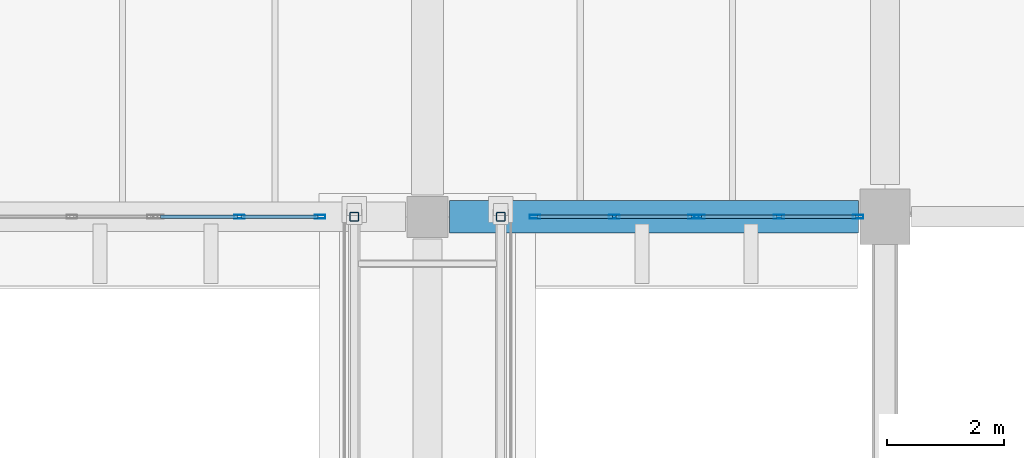
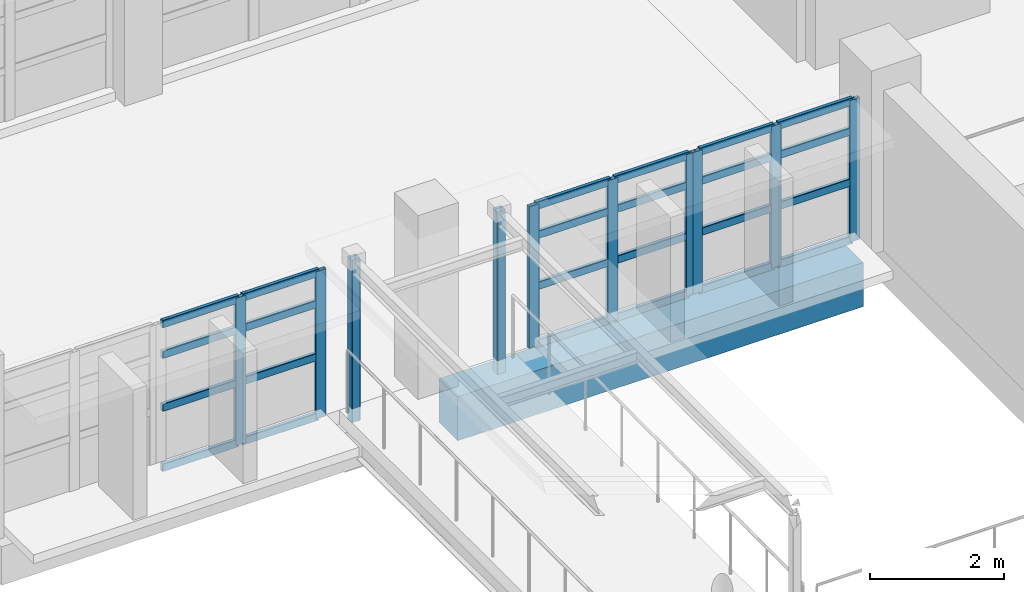
# One storey, part 27 of 75: 34 members, 1 beam, 3 elements without a shape of their own.
"""IFC4 building model written with IfcOpenShell, lengths in metres."""

from ifc_helpers import new_model, si_unit, direction, frame, origin, origin_2d, place, context, subcontext, project, spatial, rectangle, hollow_rectangle, extrude, material, material_profile, profile_set, type_object, element, aggregate, save


model = new_model("IFC4")

# Units and contexts
model_context = context("Model", 3, precision=1e-05, world=origin(), true_north=direction((0.0, 1.0)))
body_context = subcontext(model_context, "Body", "Model", "MODEL_VIEW")
ifc_project = project(units=[si_unit("LENGTHUNIT", "METRE"), si_unit("AREAUNIT", "SQUARE_METRE"), si_unit("VOLUMEUNIT", "CUBIC_METRE"), si_unit("PLANEANGLEUNIT", "RADIAN"), si_unit("MASSUNIT", "GRAM", prefix="KILO")], contexts=[model_context])

# Site, building, storey
site_placement = place(None, origin())
site = spatial("IfcSite", under=ifc_project, at=site_placement, CompositionType="ELEMENT")
building_placement = place(site_placement, origin())
building = spatial("IfcBuilding", under=site, at=building_placement, Name="Varnakota Cinema and Media Centre", CompositionType="ELEMENT")
storey_placement = place(building_placement, frame((0.0, 0.0, 8.39990234375)))
storey = spatial("IfcBuildingStorey", under=building, at=storey_placement, Name="L02", CompositionType="ELEMENT", Elevation=8.39990234375)

# Beam
ifc_material_1 = material(Name="Concrete M35", Category="concrete")
ifc_material_profile_1 = material_profile(ifc_material_1, rectangle(XDim=0.550048828125, YDim=0.800048828125, at=origin_2d()), Name="RCB 550x800")
ifc_profile_set_1 = profile_set([ifc_material_profile_1], Name="Concrete M35")
beam_type = type_object("IfcBeamType", Name="BM-RC-550x800", PredefinedType="BEAM", material=ifc_profile_set_1)
beam_placement = place(storey_placement, frame((67.574951171875, 35.199951171875, -0.64990234375), z_axis=(1.0, 0.0, 0.0), x_axis=(0.0, 1.0, 0.0)))
element("IfcBeam", 1, at=beam_placement, inside=storey, type_object=beam_type, Name="L02 girder J-K/5", PredefinedType="BEAM", context=body_context, shape_type="SweptSolid", body=[
    extrude(rectangle(XDim=0.550048828125, YDim=0.800048828125, at=origin_2d()), origin(), (0.0, 0.0, 1.0), 6.97509765625),
])

# Curtain wall, members
ifc_material_2 = material(Name="Thermally broken anodised aluminium AW-6063", Category="aluminium")
curtain_wall_type_1 = type_object("IfcCurtainWallType", Name="CW-STD-282x268", PredefinedType="USERDEFINED", material=ifc_material_2)
curtain_wall_1_placement = place(storey_placement, origin())
curtain_wall_1 = element("IfcCurtainWall", 2, at=curtain_wall_1_placement, inside=storey, type_object=curtain_wall_type_1, Name="L02 curtain wall CW-L02-LINK-S-W-01-1", ObjectType="UNITISED CURTAIN WALL", PredefinedType="USERDEFINED")
ifc_material_3 = material(Name="Thermally broken anodised aluminium AW-6063", Category="aluminium")
ifc_material_profile_2 = material_profile(ifc_material_3, hollow_rectangle(XDim=0.06494140625, YDim=0.179931640625, WallThickness=0.00390625, InnerFilletRadius=0.00390625, OuterFilletRadius=0.008056640625, at=origin_2d()), Name="AL-MULLION 180x65x4")
ifc_profile_set_2 = profile_set([ifc_material_profile_2], Name="Thermally broken anodised aluminium AW-6063")
member_type_1 = type_object("IfcMemberType", Name="CWM-AL-180", PredefinedType="MULLION", material=ifc_profile_set_2)
member_1_placement = place(storey_placement, frame((65.367431640625, 35.199951171875, 0.0), z_axis=(0.0, 0.0, 1.0), x_axis=(0.0, -1.0, 0.0)))
member_1 = element("IfcMember", 3, at=member_1_placement, type_object=member_type_1, Name="CW32 mullion 1", PredefinedType="MULLION", context=body_context, shape_type="SweptSolid", body=[
    extrude(hollow_rectangle(XDim=0.06494140625, YDim=0.179931640625, WallThickness=0.00390625, InnerFilletRadius=0.00390625, OuterFilletRadius=0.008056640625, at=origin_2d()), origin(), (0.0, 0.0, 1.0), 2.675048828125),
])
member_2_placement = place(storey_placement, frame((63.9912109375, 35.199951171875, 0.0), z_axis=(0.0, 0.0, 1.0), x_axis=(0.0, -1.0, 0.0)))
member_2 = element("IfcMember", 4, at=member_2_placement, type_object=member_type_1, Name="CW32 mullion 2", PredefinedType="MULLION", context=body_context, shape_type="SweptSolid", body=[
    extrude(hollow_rectangle(XDim=0.06494140625, YDim=0.179931640625, WallThickness=0.00390625, InnerFilletRadius=0.00390625, OuterFilletRadius=0.008056640625, at=origin_2d()), origin(), (0.0, 0.0, 1.0), 2.675048828125),
])

ifc_material_4 = material(Name="Thermally broken anodised aluminium AW-6063", Category="aluminium")
curtain_wall_type_2 = type_object("IfcCurtainWallType", Name="CW-STD-277x258", PredefinedType="USERDEFINED", material=ifc_material_4)
curtain_wall_2_placement = place(storey_placement, origin())
curtain_wall_2 = element("IfcCurtainWall", 5, at=curtain_wall_2_placement, inside=storey, type_object=curtain_wall_type_2, Name="L02 curtain wall CW-L02-LINK-S-E-01-1", ObjectType="UNITISED CURTAIN WALL", PredefinedType="USERDEFINED")
member_3_placement = place(storey_placement, frame((74.54248046875, 35.199951171875, 0.0), z_axis=(0.0, 0.0, 1.0), x_axis=(0.0, -1.0, 0.0)))
member_3 = element("IfcMember", 6, at=member_3_placement, type_object=member_type_1, Name="CW34 mullion 1", PredefinedType="MULLION", context=body_context, shape_type="SweptSolid", body=[
    extrude(hollow_rectangle(XDim=0.06494140625, YDim=0.179931640625, WallThickness=0.00390625, InnerFilletRadius=0.00390625, OuterFilletRadius=0.008056640625, at=origin_2d()), origin(), (0.0, 0.0, 1.0), 2.5751953125),
])
member_4_placement = place(storey_placement, frame((73.191162109375, 35.199951171875, 0.0), z_axis=(0.0, 0.0, 1.0), x_axis=(0.0, -1.0, 0.0)))
member_4 = element("IfcMember", 7, at=member_4_placement, type_object=member_type_1, Name="CW34 mullion 2", PredefinedType="MULLION", context=body_context, shape_type="SweptSolid", body=[
    extrude(hollow_rectangle(XDim=0.06494140625, YDim=0.179931640625, WallThickness=0.00390625, InnerFilletRadius=0.00390625, OuterFilletRadius=0.008056640625, at=origin_2d()), origin(), (0.0, 0.0, 1.0), 2.5751953125),
])
member_5_placement = place(storey_placement, frame((71.840087890625, 35.199951171875, 0.0), z_axis=(0.0, 0.0, 1.0), x_axis=(0.0, -1.0, 0.0)))
member_5 = element("IfcMember", 8, at=member_5_placement, type_object=member_type_1, Name="CW34 mullion 3", PredefinedType="MULLION", context=body_context, shape_type="SweptSolid", body=[
    extrude(hollow_rectangle(XDim=0.06494140625, YDim=0.179931640625, WallThickness=0.00390625, InnerFilletRadius=0.00390625, OuterFilletRadius=0.008056640625, at=origin_2d()), origin(), (0.0, 0.0, 1.0), 2.5751953125),
])

curtain_wall_3_placement = place(storey_placement, origin())
curtain_wall_3 = element("IfcCurtainWall", 9, at=curtain_wall_3_placement, inside=storey, type_object=curtain_wall_type_2, Name="L02 curtain wall CW-L02-LINK-S-E-01-2", ObjectType="UNITISED CURTAIN WALL", PredefinedType="USERDEFINED")
member_6_placement = place(storey_placement, frame((71.735107421875, 35.199951171875, 0.0), z_axis=(0.0, 0.0, 1.0), x_axis=(0.0, -1.0, 0.0)))
member_6 = element("IfcMember", 10, at=member_6_placement, type_object=member_type_1, Name="CW34 mullion 1", PredefinedType="MULLION", context=body_context, shape_type="SweptSolid", body=[
    extrude(hollow_rectangle(XDim=0.06494140625, YDim=0.179931640625, WallThickness=0.00390625, InnerFilletRadius=0.00390625, OuterFilletRadius=0.008056640625, at=origin_2d()), origin(), (0.0, 0.0, 1.0), 2.5751953125),
])
member_7_placement = place(storey_placement, frame((70.3837890625, 35.199951171875, 0.0), z_axis=(0.0, 0.0, 1.0), x_axis=(0.0, -1.0, 0.0)))
member_7 = element("IfcMember", 11, at=member_7_placement, type_object=member_type_1, Name="CW34 mullion 2", PredefinedType="MULLION", context=body_context, shape_type="SweptSolid", body=[
    extrude(hollow_rectangle(XDim=0.06494140625, YDim=0.179931640625, WallThickness=0.00390625, InnerFilletRadius=0.00390625, OuterFilletRadius=0.008056640625, at=origin_2d()), origin(), (0.0, 0.0, 1.0), 2.5751953125),
])
member_8_placement = place(storey_placement, frame((69.032470703125, 35.199951171875, 0.0), z_axis=(0.0, 0.0, 1.0), x_axis=(0.0, -1.0, 0.0)))
member_8 = element("IfcMember", 12, at=member_8_placement, type_object=member_type_1, Name="CW34 mullion 3", PredefinedType="MULLION", context=body_context, shape_type="SweptSolid", body=[
    extrude(hollow_rectangle(XDim=0.06494140625, YDim=0.179931640625, WallThickness=0.00390625, InnerFilletRadius=0.00390625, OuterFilletRadius=0.008056640625, at=origin_2d()), origin(), (0.0, 0.0, 1.0), 2.5751953125),
])

# Member
ifc_material_5 = material(Name="Thermally broken anodised aluminium AW-6063", Category="aluminium")
ifc_material_profile_3 = material_profile(ifc_material_5, hollow_rectangle(XDim=0.06494140625, YDim=0.139892578125, WallThickness=0.00390625, InnerFilletRadius=0.00390625, OuterFilletRadius=0.008056640625, at=origin_2d()), Name="AL-TRANSOM 140x65x4")
ifc_profile_set_3 = profile_set([ifc_material_profile_3], Name="Thermally broken anodised aluminium AW-6063")
member_type_2 = type_object("IfcMemberType", Name="CWT-AL-140", PredefinedType="USERDEFINED", material=ifc_profile_set_3)
member_9_placement = place(storey_placement, frame((65.3349609375, 35.199951171875, 0.03271484375), z_axis=(-1.0, 0.0, 0.0), x_axis=(0.0, -1.0, 0.0)))
member_9 = element("IfcMember", 13, at=member_9_placement, type_object=member_type_2, Name="CW32 transom 1.1", ObjectType="TRANSOM", PredefinedType="USERDEFINED", context=body_context, shape_type="SweptSolid", body=[
    extrude(hollow_rectangle(XDim=0.06494140625, YDim=0.139892578125, WallThickness=0.00390625, InnerFilletRadius=0.00390625, OuterFilletRadius=0.008056640625, at=origin_2d()), origin(), (0.0, 0.0, 1.0), 1.311279296875),
])

member_10_placement = place(storey_placement, frame((65.3349609375, 35.199951171875, 1.12353515625), z_axis=(-1.0, 0.0, 0.0), x_axis=(0.0, -1.0, 0.0)))
member_10 = element("IfcMember", 14, at=member_10_placement, type_object=member_type_2, Name="CW32 transom 1.2", ObjectType="TRANSOM", PredefinedType="USERDEFINED", context=body_context, shape_type="SweptSolid", body=[
    extrude(hollow_rectangle(XDim=0.06494140625, YDim=0.139892578125, WallThickness=0.00390625, InnerFilletRadius=0.00390625, OuterFilletRadius=0.008056640625, at=origin_2d()), origin(), (0.0, 0.0, 1.0), 1.311279296875),
])

member_11_placement = place(storey_placement, frame((65.3349609375, 35.199951171875, 2.086669921875), z_axis=(-1.0, 0.0, 0.0), x_axis=(0.0, -1.0, 0.0)))
member_11 = element("IfcMember", 15, at=member_11_placement, type_object=member_type_2, Name="CW32 transom 1.3", ObjectType="TRANSOM", PredefinedType="USERDEFINED", context=body_context, shape_type="SweptSolid", body=[
    extrude(hollow_rectangle(XDim=0.06494140625, YDim=0.139892578125, WallThickness=0.00390625, InnerFilletRadius=0.00390625, OuterFilletRadius=0.008056640625, at=origin_2d()), origin(), (0.0, 0.0, 1.0), 1.311279296875),
])

member_12_placement = place(storey_placement, frame((65.3349609375, 35.199951171875, 2.642578125), z_axis=(-1.0, 0.0, 0.0), x_axis=(0.0, -1.0, 0.0)))
member_12 = element("IfcMember", 16, at=member_12_placement, type_object=member_type_2, Name="CW32 transom 1.4", ObjectType="TRANSOM", PredefinedType="USERDEFINED", context=body_context, shape_type="SweptSolid", body=[
    extrude(hollow_rectangle(XDim=0.06494140625, YDim=0.139892578125, WallThickness=0.00390625, InnerFilletRadius=0.00390625, OuterFilletRadius=0.008056640625, at=origin_2d()), origin(), (0.0, 0.0, 1.0), 1.311279296875),
])

member_13_placement = place(storey_placement, frame((63.958740234375, 35.199951171875, 0.03271484375), z_axis=(-1.0, 0.0, 0.0), x_axis=(0.0, -1.0, 0.0)))
member_13 = element("IfcMember", 17, at=member_13_placement, type_object=member_type_2, Name="CW32 transom 2.1", ObjectType="TRANSOM", PredefinedType="USERDEFINED", context=body_context, shape_type="SweptSolid", body=[
    extrude(hollow_rectangle(XDim=0.06494140625, YDim=0.139892578125, WallThickness=0.00390625, InnerFilletRadius=0.00390625, OuterFilletRadius=0.008056640625, at=origin_2d()), origin(), (0.0, 0.0, 1.0), 1.311279296875),
])

member_14_placement = place(storey_placement, frame((63.958740234375, 35.199951171875, 1.12353515625), z_axis=(-1.0, 0.0, 0.0), x_axis=(0.0, -1.0, 0.0)))
member_14 = element("IfcMember", 18, at=member_14_placement, type_object=member_type_2, Name="CW32 transom 2.2", ObjectType="TRANSOM", PredefinedType="USERDEFINED", context=body_context, shape_type="SweptSolid", body=[
    extrude(hollow_rectangle(XDim=0.06494140625, YDim=0.139892578125, WallThickness=0.00390625, InnerFilletRadius=0.00390625, OuterFilletRadius=0.008056640625, at=origin_2d()), origin(), (0.0, 0.0, 1.0), 1.311279296875),
])

member_15_placement = place(storey_placement, frame((63.958740234375, 35.199951171875, 2.086669921875), z_axis=(-1.0, 0.0, 0.0), x_axis=(0.0, -1.0, 0.0)))
member_15 = element("IfcMember", 19, at=member_15_placement, type_object=member_type_2, Name="CW32 transom 2.3", ObjectType="TRANSOM", PredefinedType="USERDEFINED", context=body_context, shape_type="SweptSolid", body=[
    extrude(hollow_rectangle(XDim=0.06494140625, YDim=0.139892578125, WallThickness=0.00390625, InnerFilletRadius=0.00390625, OuterFilletRadius=0.008056640625, at=origin_2d()), origin(), (0.0, 0.0, 1.0), 1.311279296875),
])

member_16_placement = place(storey_placement, frame((63.958740234375, 35.199951171875, 2.642578125), z_axis=(-1.0, 0.0, 0.0), x_axis=(0.0, -1.0, 0.0)))
member_16 = element("IfcMember", 20, at=member_16_placement, type_object=member_type_2, Name="CW32 transom 2.4", ObjectType="TRANSOM", PredefinedType="USERDEFINED", context=body_context, shape_type="SweptSolid", body=[
    extrude(hollow_rectangle(XDim=0.06494140625, YDim=0.139892578125, WallThickness=0.00390625, InnerFilletRadius=0.00390625, OuterFilletRadius=0.008056640625, at=origin_2d()), origin(), (0.0, 0.0, 1.0), 1.311279296875),
])

aggregate(curtain_wall_1, [member_1, member_2, member_9, member_10, member_11, member_12, member_13, member_14, member_15, member_16])

member_17_placement = place(storey_placement, frame((74.510009765625, 35.199951171875, 0.03271484375), z_axis=(-1.0, 0.0, 0.0), x_axis=(0.0, -1.0, 0.0)))
member_17 = element("IfcMember", 21, at=member_17_placement, type_object=member_type_2, Name="CW34 transom 1.1", ObjectType="TRANSOM", PredefinedType="USERDEFINED", context=body_context, shape_type="SweptSolid", body=[
    extrude(hollow_rectangle(XDim=0.06494140625, YDim=0.139892578125, WallThickness=0.00390625, InnerFilletRadius=0.00390625, OuterFilletRadius=0.008056640625, at=origin_2d()), origin(), (0.0, 0.0, 1.0), 1.286376953125),
])

member_18_placement = place(storey_placement, frame((74.510009765625, 35.199951171875, 1.08154296875), z_axis=(-1.0, 0.0, 0.0), x_axis=(0.0, -1.0, 0.0)))
member_18 = element("IfcMember", 22, at=member_18_placement, type_object=member_type_2, Name="CW34 transom 1.2", ObjectType="TRANSOM", PredefinedType="USERDEFINED", context=body_context, shape_type="SweptSolid", body=[
    extrude(hollow_rectangle(XDim=0.06494140625, YDim=0.139892578125, WallThickness=0.00390625, InnerFilletRadius=0.00390625, OuterFilletRadius=0.008056640625, at=origin_2d()), origin(), (0.0, 0.0, 1.0), 1.286376953125),
])

member_19_placement = place(storey_placement, frame((74.510009765625, 35.199951171875, 2.008544921875), z_axis=(-1.0, 0.0, 0.0), x_axis=(0.0, -1.0, 0.0)))
member_19 = element("IfcMember", 23, at=member_19_placement, type_object=member_type_2, Name="CW34 transom 1.3", ObjectType="TRANSOM", PredefinedType="USERDEFINED", context=body_context, shape_type="SweptSolid", body=[
    extrude(hollow_rectangle(XDim=0.06494140625, YDim=0.139892578125, WallThickness=0.00390625, InnerFilletRadius=0.00390625, OuterFilletRadius=0.008056640625, at=origin_2d()), origin(), (0.0, 0.0, 1.0), 1.286376953125),
])

member_20_placement = place(storey_placement, frame((74.510009765625, 35.199951171875, 2.54248046875), z_axis=(-1.0, 0.0, 0.0), x_axis=(0.0, -1.0, 0.0)))
member_20 = element("IfcMember", 24, at=member_20_placement, type_object=member_type_2, Name="CW34 transom 1.4", ObjectType="TRANSOM", PredefinedType="USERDEFINED", context=body_context, shape_type="SweptSolid", body=[
    extrude(hollow_rectangle(XDim=0.06494140625, YDim=0.139892578125, WallThickness=0.00390625, InnerFilletRadius=0.00390625, OuterFilletRadius=0.008056640625, at=origin_2d()), origin(), (0.0, 0.0, 1.0), 1.286376953125),
])

member_21_placement = place(storey_placement, frame((73.15869140625, 35.199951171875, 0.03271484375), z_axis=(-1.0, 0.0, 0.0), x_axis=(0.0, -1.0, 0.0)))
member_21 = element("IfcMember", 25, at=member_21_placement, type_object=member_type_2, Name="CW34 transom 2.1", ObjectType="TRANSOM", PredefinedType="USERDEFINED", context=body_context, shape_type="SweptSolid", body=[
    extrude(hollow_rectangle(XDim=0.06494140625, YDim=0.139892578125, WallThickness=0.00390625, InnerFilletRadius=0.00390625, OuterFilletRadius=0.008056640625, at=origin_2d()), origin(), (0.0, 0.0, 1.0), 1.2861328125),
])

member_22_placement = place(storey_placement, frame((73.15869140625, 35.199951171875, 1.08154296875), z_axis=(-1.0, 0.0, 0.0), x_axis=(0.0, -1.0, 0.0)))
member_22 = element("IfcMember", 26, at=member_22_placement, type_object=member_type_2, Name="CW34 transom 2.2", ObjectType="TRANSOM", PredefinedType="USERDEFINED", context=body_context, shape_type="SweptSolid", body=[
    extrude(hollow_rectangle(XDim=0.06494140625, YDim=0.139892578125, WallThickness=0.00390625, InnerFilletRadius=0.00390625, OuterFilletRadius=0.008056640625, at=origin_2d()), origin(), (0.0, 0.0, 1.0), 1.2861328125),
])

member_23_placement = place(storey_placement, frame((73.15869140625, 35.199951171875, 2.008544921875), z_axis=(-1.0, 0.0, 0.0), x_axis=(0.0, -1.0, 0.0)))
member_23 = element("IfcMember", 27, at=member_23_placement, type_object=member_type_2, Name="CW34 transom 2.3", ObjectType="TRANSOM", PredefinedType="USERDEFINED", context=body_context, shape_type="SweptSolid", body=[
    extrude(hollow_rectangle(XDim=0.06494140625, YDim=0.139892578125, WallThickness=0.00390625, InnerFilletRadius=0.00390625, OuterFilletRadius=0.008056640625, at=origin_2d()), origin(), (0.0, 0.0, 1.0), 1.2861328125),
])

member_24_placement = place(storey_placement, frame((73.15869140625, 35.199951171875, 2.54248046875), z_axis=(-1.0, 0.0, 0.0), x_axis=(0.0, -1.0, 0.0)))
member_24 = element("IfcMember", 28, at=member_24_placement, type_object=member_type_2, Name="CW34 transom 2.4", ObjectType="TRANSOM", PredefinedType="USERDEFINED", context=body_context, shape_type="SweptSolid", body=[
    extrude(hollow_rectangle(XDim=0.06494140625, YDim=0.139892578125, WallThickness=0.00390625, InnerFilletRadius=0.00390625, OuterFilletRadius=0.008056640625, at=origin_2d()), origin(), (0.0, 0.0, 1.0), 1.2861328125),
])

aggregate(curtain_wall_2, [member_3, member_4, member_5, member_17, member_18, member_19, member_20, member_21, member_22, member_23, member_24])

member_25_placement = place(storey_placement, frame((71.702392578125, 35.199951171875, 0.03271484375), z_axis=(-1.0, 0.0, 0.0), x_axis=(0.0, -1.0, 0.0)))
member_25 = element("IfcMember", 29, at=member_25_placement, type_object=member_type_2, Name="CW34 transom 1.1", ObjectType="TRANSOM", PredefinedType="USERDEFINED", context=body_context, shape_type="SweptSolid", body=[
    extrude(hollow_rectangle(XDim=0.06494140625, YDim=0.139892578125, WallThickness=0.00390625, InnerFilletRadius=0.00390625, OuterFilletRadius=0.008056640625, at=origin_2d()), origin(), (0.0, 0.0, 1.0), 1.2861328125),
])

member_26_placement = place(storey_placement, frame((71.702392578125, 35.199951171875, 1.08154296875), z_axis=(-1.0, 0.0, 0.0), x_axis=(0.0, -1.0, 0.0)))
member_26 = element("IfcMember", 30, at=member_26_placement, type_object=member_type_2, Name="CW34 transom 1.2", ObjectType="TRANSOM", PredefinedType="USERDEFINED", context=body_context, shape_type="SweptSolid", body=[
    extrude(hollow_rectangle(XDim=0.06494140625, YDim=0.139892578125, WallThickness=0.00390625, InnerFilletRadius=0.00390625, OuterFilletRadius=0.008056640625, at=origin_2d()), origin(), (0.0, 0.0, 1.0), 1.2861328125),
])

member_27_placement = place(storey_placement, frame((71.702392578125, 35.199951171875, 2.008544921875), z_axis=(-1.0, 0.0, 0.0), x_axis=(0.0, -1.0, 0.0)))
member_27 = element("IfcMember", 31, at=member_27_placement, type_object=member_type_2, Name="CW34 transom 1.3", ObjectType="TRANSOM", PredefinedType="USERDEFINED", context=body_context, shape_type="SweptSolid", body=[
    extrude(hollow_rectangle(XDim=0.06494140625, YDim=0.139892578125, WallThickness=0.00390625, InnerFilletRadius=0.00390625, OuterFilletRadius=0.008056640625, at=origin_2d()), origin(), (0.0, 0.0, 1.0), 1.2861328125),
])

member_28_placement = place(storey_placement, frame((71.702392578125, 35.199951171875, 2.54248046875), z_axis=(-1.0, 0.0, 0.0), x_axis=(0.0, -1.0, 0.0)))
member_28 = element("IfcMember", 32, at=member_28_placement, type_object=member_type_2, Name="CW34 transom 1.4", ObjectType="TRANSOM", PredefinedType="USERDEFINED", context=body_context, shape_type="SweptSolid", body=[
    extrude(hollow_rectangle(XDim=0.06494140625, YDim=0.139892578125, WallThickness=0.00390625, InnerFilletRadius=0.00390625, OuterFilletRadius=0.008056640625, at=origin_2d()), origin(), (0.0, 0.0, 1.0), 1.2861328125),
])

member_29_placement = place(storey_placement, frame((70.351318359375, 35.199951171875, 0.03271484375), z_axis=(-1.0, 0.0, 0.0), x_axis=(0.0, -1.0, 0.0)))
member_29 = element("IfcMember", 33, at=member_29_placement, type_object=member_type_2, Name="CW34 transom 2.1", ObjectType="TRANSOM", PredefinedType="USERDEFINED", context=body_context, shape_type="SweptSolid", body=[
    extrude(hollow_rectangle(XDim=0.06494140625, YDim=0.139892578125, WallThickness=0.00390625, InnerFilletRadius=0.00390625, OuterFilletRadius=0.008056640625, at=origin_2d()), origin(), (0.0, 0.0, 1.0), 1.286376953125),
])

member_30_placement = place(storey_placement, frame((70.351318359375, 35.199951171875, 1.08154296875), z_axis=(-1.0, 0.0, 0.0), x_axis=(0.0, -1.0, 0.0)))
member_30 = element("IfcMember", 34, at=member_30_placement, type_object=member_type_2, Name="CW34 transom 2.2", ObjectType="TRANSOM", PredefinedType="USERDEFINED", context=body_context, shape_type="SweptSolid", body=[
    extrude(hollow_rectangle(XDim=0.06494140625, YDim=0.139892578125, WallThickness=0.00390625, InnerFilletRadius=0.00390625, OuterFilletRadius=0.008056640625, at=origin_2d()), origin(), (0.0, 0.0, 1.0), 1.286376953125),
])

member_31_placement = place(storey_placement, frame((70.351318359375, 35.199951171875, 2.008544921875), z_axis=(-1.0, 0.0, 0.0), x_axis=(0.0, -1.0, 0.0)))
member_31 = element("IfcMember", 35, at=member_31_placement, type_object=member_type_2, Name="CW34 transom 2.3", ObjectType="TRANSOM", PredefinedType="USERDEFINED", context=body_context, shape_type="SweptSolid", body=[
    extrude(hollow_rectangle(XDim=0.06494140625, YDim=0.139892578125, WallThickness=0.00390625, InnerFilletRadius=0.00390625, OuterFilletRadius=0.008056640625, at=origin_2d()), origin(), (0.0, 0.0, 1.0), 1.286376953125),
])

member_32_placement = place(storey_placement, frame((70.351318359375, 35.199951171875, 2.54248046875), z_axis=(-1.0, 0.0, 0.0), x_axis=(0.0, -1.0, 0.0)))
member_32 = element("IfcMember", 36, at=member_32_placement, type_object=member_type_2, Name="CW34 transom 2.4", ObjectType="TRANSOM", PredefinedType="USERDEFINED", context=body_context, shape_type="SweptSolid", body=[
    extrude(hollow_rectangle(XDim=0.06494140625, YDim=0.139892578125, WallThickness=0.00390625, InnerFilletRadius=0.00390625, OuterFilletRadius=0.008056640625, at=origin_2d()), origin(), (0.0, 0.0, 1.0), 1.286376953125),
])

aggregate(curtain_wall_3, [member_6, member_7, member_8, member_25, member_26, member_27, member_28, member_29, member_30, member_31, member_32])

# Members
ifc_material_6 = material(Name="Structural steel S355 (YSt 355)", Category="steel")
ifc_material_profile_4 = material_profile(ifc_material_6, hollow_rectangle(XDim=0.14990234375, YDim=0.14990234375, WallThickness=0.008056640625, InnerFilletRadius=0.008056640625, OuterFilletRadius=0.01611328125, at=origin_2d()), Name="SHS 150x150x8")
ifc_profile_set_4 = profile_set([ifc_material_profile_4], Name="Structural steel S355 (YSt 355)")
member_type_3 = type_object("IfcMemberType", Name="MEM-ST-SHS150x150x8", PredefinedType="STRUT", material=ifc_profile_set_4)
for number, where, z_axis, x_axis, name in (
    (37, (65.949951171875, 35.199951171875, -0.25), (0.0, 0.0, 1.0), (1.0, 0.0, 0.0), "L02 Chowk sky-bridge BR2 canopy frame strut 1.2"),
    (38, (68.449951171875, 35.199951171875, -0.25), (0.0, 0.0, 1.0), (1.0, 0.0, 0.0), "L02 Chowk sky-bridge BR2 canopy frame strut 2.2"),
):
    element("IfcMember", number, at=place(storey_placement, frame(where, z_axis=z_axis, x_axis=x_axis)), inside=storey, type_object=member_type_3, Name=name, PredefinedType="STRUT", context=body_context, shape_type="SweptSolid", body=[
        extrude(hollow_rectangle(XDim=0.14990234375, YDim=0.14990234375, WallThickness=0.008056640625, InnerFilletRadius=0.008056640625, OuterFilletRadius=0.01611328125, at=origin_2d()), origin(), (0.0, 0.0, 1.0), 2.940185546875),
    ])

save(model, "model.ifc")
